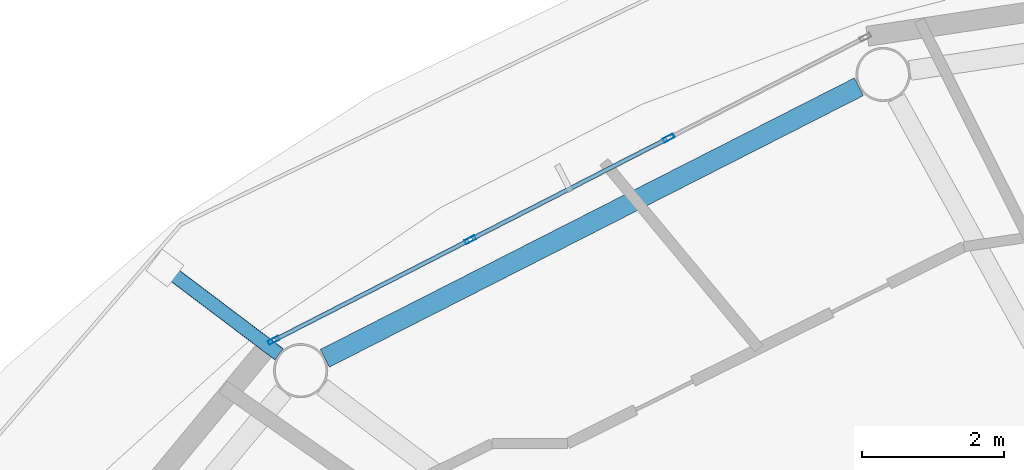
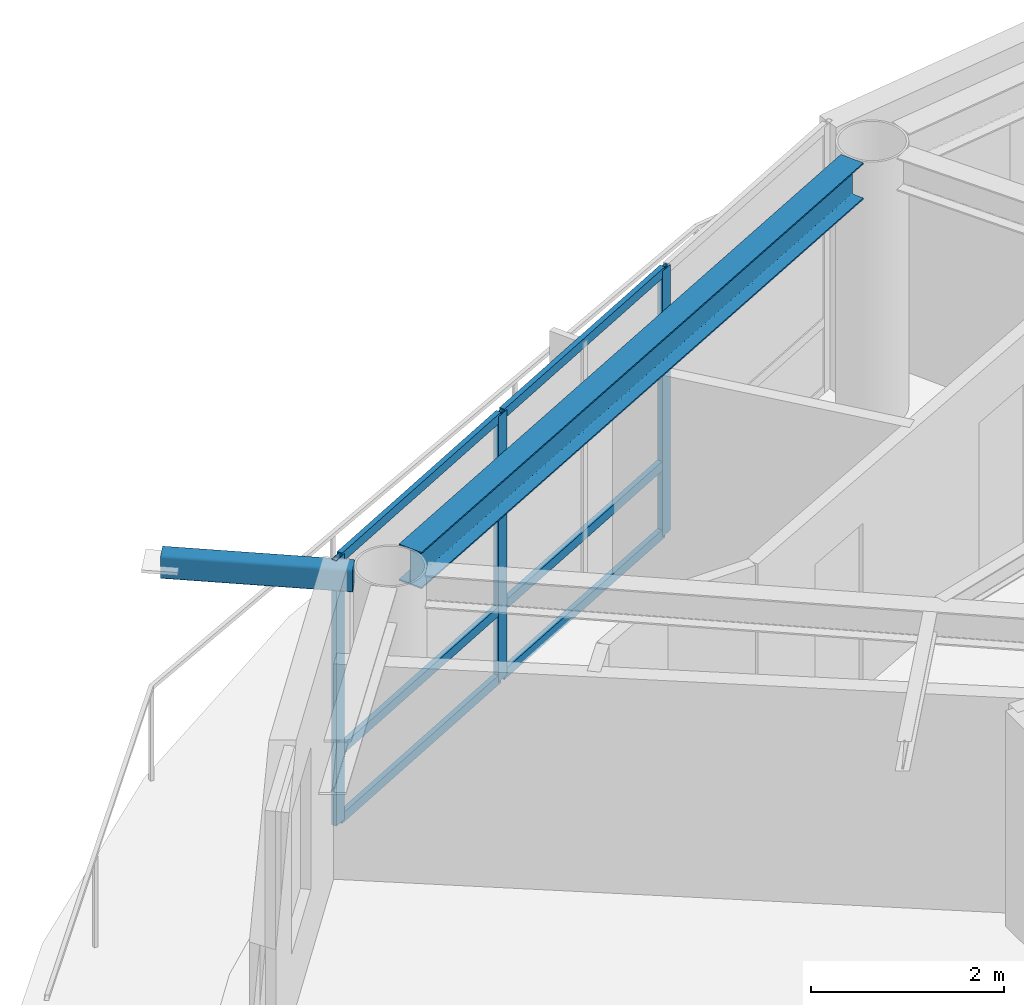
# One storey, part 8 of 23: 10 members, 1 beam, 1 element without a shape of its own.
"""IFC4 building model written with IfcOpenShell, lengths in metres."""

from ifc_helpers import new_model, si_unit, direction, frame, origin, origin_2d, place, context, subcontext, project, spatial, hollow_rectangle, i_section, extrude, material, layer, layer_set, material_profile, profile_set, type_object, element, aggregate, save


model = new_model("IFC4")

# Units and contexts
model_context = context("Model", 3, precision=1e-05, world=origin(), true_north=direction((0.0, 1.0)))
body_context = subcontext(model_context, "Body", "Model", "MODEL_VIEW")
ifc_project = project(units=[si_unit("LENGTHUNIT", "METRE"), si_unit("AREAUNIT", "SQUARE_METRE"), si_unit("VOLUMEUNIT", "CUBIC_METRE"), si_unit("PLANEANGLEUNIT", "RADIAN"), si_unit("MASSUNIT", "GRAM", prefix="KILO")], contexts=[model_context])

# Site, building, storey
site_placement = place(None, origin())
site = spatial("IfcSite", under=ifc_project, at=site_placement, CompositionType="ELEMENT")
building_placement = place(site_placement, origin())
building = spatial("IfcBuilding", under=site, at=building_placement, Name="Sarneth Arch Tower", CompositionType="ELEMENT")
storey_placement = place(building_placement, frame((0.0, 0.0, 276.60009765625)))
storey = spatial("IfcBuildingStorey", under=building, at=storey_placement, Name="L71", CompositionType="ELEMENT", Elevation=276.60009765625)

# Beam
ifc_material_1 = material(Name="Steel S355", Category="steel")
ifc_material_profile_1 = material_profile(ifc_material_1, i_section(OverallWidth=0.280029296875, OverallDepth=0.462890625, WebThickness=0.0107421875, FlangeThickness=0.017333984375, FilletRadius=0.01806640625, at=origin_2d()), Name="W460x113")
ifc_profile_set_1 = profile_set([ifc_material_profile_1], Name="Steel S355")
beam_type = type_object("IfcBeamType", Name="BM-RAD-460A", PredefinedType="BEAM", material=ifc_profile_set_1)
beam_placement = place(storey_placement, frame((37.86962890625, 59.565673828125, 3.138427734375), z_axis=(-0.891373613492, -0.453269325204, 0.0), x_axis=(0.453269325204, -0.891373613492, 0.0)))
element("IfcBeam", 1, at=beam_placement, inside=storey, type_object=beam_type, Name="L71 Perimeter spandrel beam 06", PredefinedType="BEAM", context=body_context, shape_type="SweptSolid", body=[
    extrude(i_section(OverallWidth=0.280029296875, OverallDepth=0.462890625, WebThickness=0.0107421875, FlangeThickness=0.017333984375, FilletRadius=0.01806640625, at=origin_2d()), origin(), (0.0, 0.0, 1.0), 8.419677734375),
])

# Curtain wall, members
ifc_material_2 = material(Name="Anodised aluminium Type AA25 and solar-control low-e laminated IGU", Category="aluminium")
ifc_layer = layer(ifc_material_2, 0.179931640625)
ifc_layer_set = layer_set([ifc_layer], Name="Anodised aluminium Type AA25 and solar-control low-e laminated IGU")
curtain_wall_type = type_object("IfcCurtainWallType", Name="CW-RES-HIGH", PredefinedType="NOTDEFINED", material=ifc_layer_set)
curtain_wall_placement = place(storey_placement, origin())
curtain_wall = element("IfcCurtainWall", 2, at=curtain_wall_placement, inside=storey, type_object=curtain_wall_type, Name="L71 Unitised curtain wall facet 06", PredefinedType="NOTDEFINED")
ifc_material_3 = material(Name="Anodised Aluminium 6063-T6", Category="aluminium")
ifc_material_profile_2 = material_profile(ifc_material_3, hollow_rectangle(XDim=0.06005859375, YDim=0.159912109375, WallThickness=0.00390625, at=origin_2d()), Name="AL-MULL-160x60x4")
ifc_profile_set_2 = profile_set([ifc_material_profile_2], Name="Anodised Aluminium 6063-T6")
member_type_1 = type_object("IfcMemberType", Name="CW-MULLION", PredefinedType="MULLION", material=ifc_profile_set_2)
member_1_placement = place(storey_placement, frame((35.197509765625, 58.844970703125, 0.0), z_axis=(0.0, 0.0, 1.0), x_axis=(0.455941901753, -0.890009540525, 0.0)))
member_1 = element("IfcMember", 3, at=member_1_placement, type_object=member_type_1, Name="CW-SYS-6 mullion 2", PredefinedType="MULLION", context=body_context, shape_type="SweptSolid", body=[
    extrude(hollow_rectangle(XDim=0.06005859375, YDim=0.159912109375, WallThickness=0.00390625, at=origin_2d()), origin(), (0.0, 0.0, 1.0), 3.369873046875),
])
member_2_placement = place(storey_placement, frame((32.407470703125, 57.415771484375, 0.0), z_axis=(0.0, 0.0, 1.0), x_axis=(0.455941901753, -0.890009540525, 0.0)))
member_2 = element("IfcMember", 4, at=member_2_placement, type_object=member_type_1, Name="CW-SYS-6 mullion 3", PredefinedType="MULLION", context=body_context, shape_type="SweptSolid", body=[
    extrude(hollow_rectangle(XDim=0.06005859375, YDim=0.159912109375, WallThickness=0.00390625, at=origin_2d()), origin(), (0.0, 0.0, 1.0), 3.369873046875),
])
member_3_placement = place(storey_placement, frame((29.644287109375, 56.000244140625, 0.0), z_axis=(0.0, 0.0, 1.0), x_axis=(0.455941901753, -0.890009540525, 0.0)))
member_3 = element("IfcMember", 5, at=member_3_placement, type_object=member_type_1, Name="CW-SYS-6 mullion 4", PredefinedType="MULLION", context=body_context, shape_type="SweptSolid", body=[
    extrude(hollow_rectangle(XDim=0.06005859375, YDim=0.159912109375, WallThickness=0.00390625, at=origin_2d()), origin(), (0.0, 0.0, 1.0), 3.369873046875),
])
ifc_material_4 = material(Name="Anodised Aluminium 6063-T6", Category="aluminium")
ifc_material_profile_3 = material_profile(ifc_material_4, hollow_rectangle(XDim=0.06005859375, YDim=0.1201171875, WallThickness=0.00390625, at=origin_2d()), Name="AL-TRAN-120x60x4")
ifc_profile_set_3 = profile_set([ifc_material_profile_3], Name="Anodised Aluminium 6063-T6")
member_type_2 = type_object("IfcMemberType", Name="CW-TRANSOM", PredefinedType="USERDEFINED", material=ifc_profile_set_3)
member_4_placement = place(storey_placement, frame((35.170654296875, 58.831298828125, 0.02978515625), z_axis=(-0.890017432405, -0.455926496286, 0.0), x_axis=(0.455926496286, -0.890017432405, 0.0)))
member_4 = element("IfcMember", 6, at=member_4_placement, type_object=member_type_2, Name="CW-SYS-6 transom 2.1", ObjectType="TRANSOM", PredefinedType="USERDEFINED", context=body_context, shape_type="SweptSolid", body=[
    extrude(hollow_rectangle(XDim=0.06005859375, YDim=0.1201171875, WallThickness=0.00390625, at=origin_2d()), origin(), (0.0, 0.0, 1.0), 3.07470703125),
])
member_5_placement = place(storey_placement, frame((35.170654296875, 58.831298828125, 0.89990234375), z_axis=(-0.890017432405, -0.455926496286, 0.0), x_axis=(0.455926496286, -0.890017432405, 0.0)))
member_5 = element("IfcMember", 7, at=member_5_placement, type_object=member_type_2, Name="CW-SYS-6 transom 2.2", ObjectType="TRANSOM", PredefinedType="USERDEFINED", context=body_context, shape_type="SweptSolid", body=[
    extrude(hollow_rectangle(XDim=0.06005859375, YDim=0.1201171875, WallThickness=0.00390625, at=origin_2d()), origin(), (0.0, 0.0, 1.0), 3.07470703125),
])
member_6_placement = place(storey_placement, frame((35.170654296875, 58.831298828125, 3.33984375), z_axis=(-0.890017432405, -0.455926496286, 0.0), x_axis=(0.455926496286, -0.890017432405, 0.0)))
member_6 = element("IfcMember", 8, at=member_6_placement, type_object=member_type_2, Name="CW-SYS-6 transom 2.3", ObjectType="TRANSOM", PredefinedType="USERDEFINED", context=body_context, shape_type="SweptSolid", body=[
    extrude(hollow_rectangle(XDim=0.06005859375, YDim=0.1201171875, WallThickness=0.00390625, at=origin_2d()), origin(), (0.0, 0.0, 1.0), 3.07470703125),
])
member_7_placement = place(storey_placement, frame((32.380859375, 57.402099609375, 0.02978515625), z_axis=(-0.890022732705, -0.455916149384, 0.0), x_axis=(0.455916149384, -0.890022732705, 0.0)))
member_7 = element("IfcMember", 9, at=member_7_placement, type_object=member_type_2, Name="CW-SYS-6 transom 3.1", ObjectType="TRANSOM", PredefinedType="USERDEFINED", context=body_context, shape_type="SweptSolid", body=[
    extrude(hollow_rectangle(XDim=0.06005859375, YDim=0.1201171875, WallThickness=0.00390625, at=origin_2d()), origin(), (0.0, 0.0, 1.0), 3.044921875),
])
member_8_placement = place(storey_placement, frame((32.380859375, 57.402099609375, 0.89990234375), z_axis=(-0.890022732705, -0.455916149384, 0.0), x_axis=(0.455916149384, -0.890022732705, 0.0)))
member_8 = element("IfcMember", 10, at=member_8_placement, type_object=member_type_2, Name="CW-SYS-6 transom 3.2", ObjectType="TRANSOM", PredefinedType="USERDEFINED", context=body_context, shape_type="SweptSolid", body=[
    extrude(hollow_rectangle(XDim=0.06005859375, YDim=0.1201171875, WallThickness=0.00390625, at=origin_2d()), origin(), (0.0, 0.0, 1.0), 3.044921875),
])
member_9_placement = place(storey_placement, frame((32.380859375, 57.402099609375, 3.33984375), z_axis=(-0.890022732705, -0.455916149384, 0.0), x_axis=(0.455916149384, -0.890022732705, 0.0)))
member_9 = element("IfcMember", 11, at=member_9_placement, type_object=member_type_2, Name="CW-SYS-6 transom 3.3", ObjectType="TRANSOM", PredefinedType="USERDEFINED", context=body_context, shape_type="SweptSolid", body=[
    extrude(hollow_rectangle(XDim=0.06005859375, YDim=0.1201171875, WallThickness=0.00390625, at=origin_2d()), origin(), (0.0, 0.0, 1.0), 3.044921875),
])
aggregate(curtain_wall, [member_1, member_2, member_3, member_4, member_5, member_6, member_7, member_8, member_9])

# Member
ifc_material_5 = material(Name="Steel S355", Category="steel")
ifc_material_profile_4 = material_profile(ifc_material_5, hollow_rectangle(XDim=0.199951171875, YDim=0.300048828125, WallThickness=0.012451171875, InnerFilletRadius=0.018798828125, OuterFilletRadius=0.03125, at=origin_2d()), Name="RHS300x200x12.5")
ifc_profile_set_4 = profile_set([ifc_material_profile_4], Name="Steel S355")
member_type_3 = type_object("IfcMemberType", Name="MEM-CANT-STRUT", PredefinedType="STRUT", material=ifc_profile_set_4)
member_10_placement = place(storey_placement, frame((29.720703125, 55.80615234375, 3.2099609375), z_axis=(-0.797969853334, 0.602697364495, 0.0), x_axis=(-0.602697364495, -0.797969853334, 0.0)))
element("IfcMember", 12, at=member_10_placement, inside=storey, type_object=member_type_3, Name="L71 Balcony cantilever bracket 07", PredefinedType="STRUT", context=body_context, shape_type="SweptSolid", body=[
    extrude(hollow_rectangle(XDim=0.199951171875, YDim=0.300048828125, WallThickness=0.012451171875, InnerFilletRadius=0.018798828125, OuterFilletRadius=0.03125, at=origin_2d()), origin(), (0.0, 0.0, 1.0), 2.010498046875),
])

save(model, "model.ifc")
